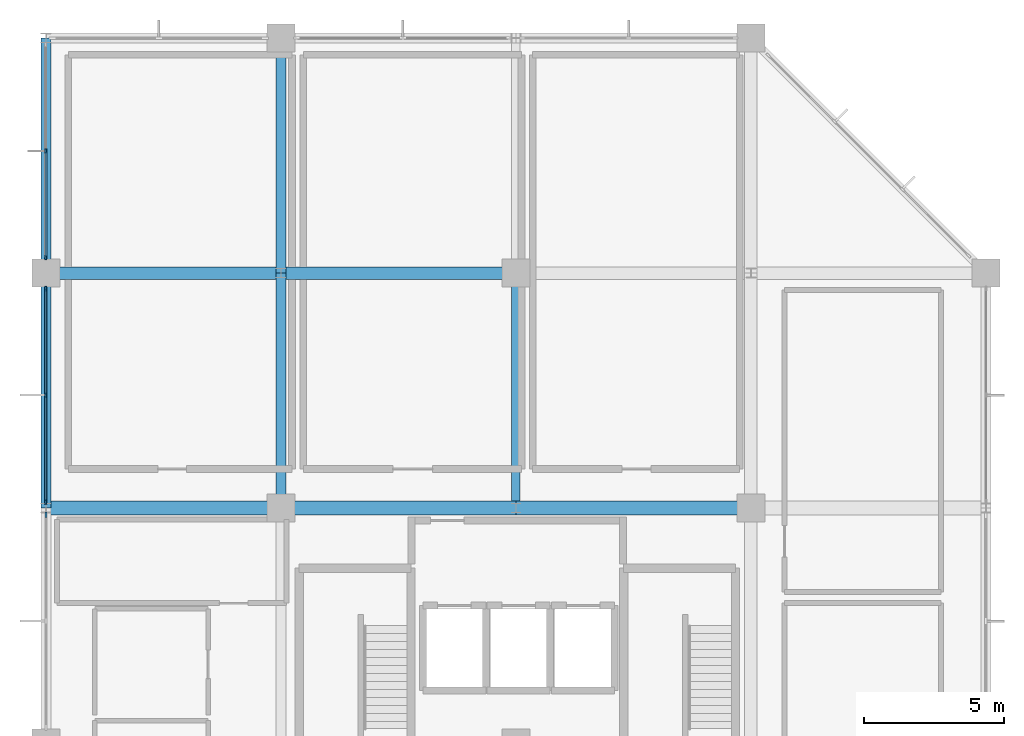
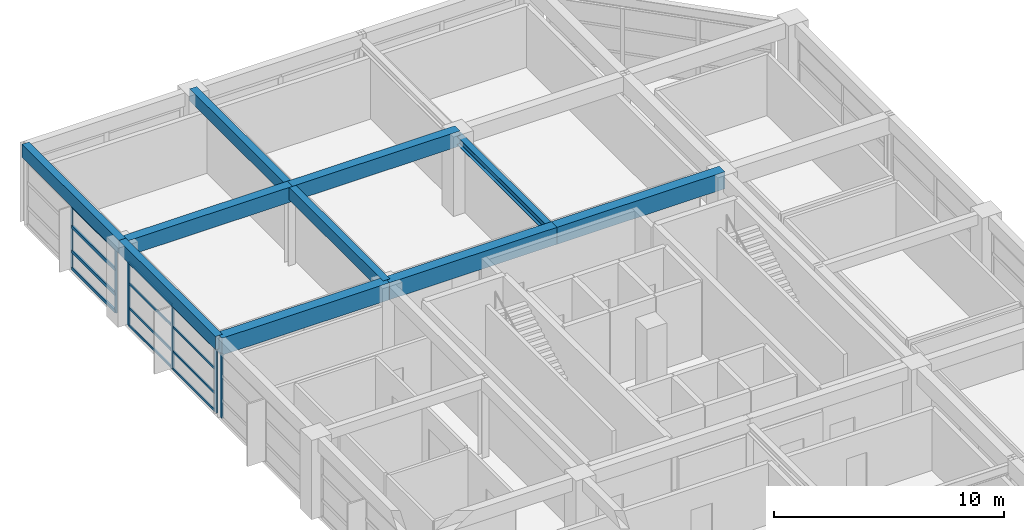
# One storey, part 7 of 16: 18 members, 10 beams, 3 elements without a shape of their own.
"""IFC4 building model written with IfcOpenShell, lengths in metres."""

from ifc_helpers import new_model, si_unit, direction, frame, origin, origin_2d, place, context, subcontext, project, spatial, rectangle, i_section, extrude, material, material_profile, profile_set, type_object, element, aggregate, save


model = new_model("IFC4")

# Units and contexts
model_context = context("Model", 3, precision=1e-05, world=origin(), true_north=direction((0.0, 1.0)))
body_context = subcontext(model_context, "Body", "Model", "MODEL_VIEW")
ifc_project = project(units=[si_unit("LENGTHUNIT", "METRE"), si_unit("AREAUNIT", "SQUARE_METRE"), si_unit("VOLUMEUNIT", "CUBIC_METRE"), si_unit("PLANEANGLEUNIT", "RADIAN"), si_unit("MASSUNIT", "GRAM", prefix="KILO")], contexts=[model_context])

# Site, building, storey
site_placement = place(None, origin())
site = spatial("IfcSite", under=ifc_project, at=site_placement, CompositionType="ELEMENT")
building_placement = place(site_placement, origin())
building = spatial("IfcBuilding", under=site, at=building_placement, Name="Xuanlan Plaza Opera House", CompositionType="ELEMENT")
storey_placement = place(building_placement, frame((0.0, 0.0, 48.89990234375)))
storey = spatial("IfcBuildingStorey", under=building, at=storey_placement, Name="L11", CompositionType="ELEMENT", Elevation=48.89990234375)

# Curtain wall, members
ifc_material_1 = material(Name="Anodised Aluminium 6063-T6 and Low-E Glass", Category="aluminium")
curtain_wall_type_1 = type_object("IfcCurtainWallType", Name="ENV-CW-CW-02", PredefinedType="USERDEFINED", material=ifc_material_1)
curtain_wall_1_placement = place(storey_placement, origin())
curtain_wall_1 = element("IfcCurtainWall", 1, at=curtain_wall_1_placement, inside=storey, type_object=curtain_wall_type_1, Name="Unitised Curtain Wall L11-013", ObjectType="UNITISED CURTAIN WALL", PredefinedType="USERDEFINED")
ifc_material_2 = material(Name="Anodised Aluminium 6063-T6", Category="aluminium")
ifc_material_profile_1 = material_profile(ifc_material_2, rectangle(XDim=0.06494140625, YDim=0.159912109375, at=origin_2d()), Name="ALU-M 65x160")
ifc_profile_set_1 = profile_set([ifc_material_profile_1], Name="Anodised Aluminium 6063-T6")
member_type_1 = type_object("IfcMemberType", Name="ENV-CWM-01", PredefinedType="MULLION", material=ifc_profile_set_1)
member_1_placement = place(storey_placement, frame((126.0, 79.96240234375, 0.0), z_axis=(0.0, 0.0, 1.0), x_axis=(1.0, 0.0, 0.0)))
member_1 = element("IfcMember", 2, at=member_1_placement, type_object=member_type_1, Name="CW-02 mullion 2", PredefinedType="MULLION", context=body_context, shape_type="SweptSolid", body=[
    extrude(rectangle(XDim=0.06494140625, YDim=0.159912109375, at=origin_2d()), origin(), (0.0, 0.0, 1.0), 3.380126953125),
])
member_2_placement = place(storey_placement, frame((126.0, 76.152587890625, 0.0), z_axis=(0.0, 0.0, 1.0), x_axis=(1.0, 0.0, 0.0)))
member_2 = element("IfcMember", 3, at=member_2_placement, type_object=member_type_1, Name="CW-02 mullion 3", PredefinedType="MULLION", context=body_context, shape_type="SweptSolid", body=[
    extrude(rectangle(XDim=0.06494140625, YDim=0.159912109375, at=origin_2d()), origin(), (0.0, 0.0, 1.0), 3.380126953125),
])

curtain_wall_type_2 = type_object("IfcCurtainWallType", Name="ENV-CW-CW-03", PredefinedType="USERDEFINED", material=ifc_material_1)
curtain_wall_2_placement = place(storey_placement, origin())
curtain_wall_2 = element("IfcCurtainWall", 4, at=curtain_wall_2_placement, inside=storey, type_object=curtain_wall_type_2, Name="Unitised Curtain Wall L11-014", ObjectType="UNITISED CURTAIN WALL", PredefinedType="USERDEFINED")
ifc_material_profile_2 = material_profile(ifc_material_2, rectangle(XDim=0.070068359375, YDim=0.179931640625, at=origin_2d()), Name="ALU-M 70x180")
ifc_profile_set_2 = profile_set([ifc_material_profile_2], Name="Anodised Aluminium 6063-T6")
member_type_2 = type_object("IfcMemberType", Name="ENV-CWM-02", PredefinedType="MULLION", material=ifc_profile_set_2)
member_3_placement = place(storey_placement, frame((126.0, 75.044921875, 0.0), z_axis=(0.0, 0.0, 1.0), x_axis=(1.0, 0.0, 0.0)))
member_3 = element("IfcMember", 5, at=member_3_placement, type_object=member_type_2, Name="CW-03 mullion 1", PredefinedType="MULLION", context=body_context, shape_type="SweptSolid", body=[
    extrude(rectangle(XDim=0.070068359375, YDim=0.179931640625, at=origin_2d()), origin(), (0.0, 0.0, 1.0), 3.380126953125),
])
member_4_placement = place(storey_placement, frame((126.0, 71.237548828125, 0.0), z_axis=(0.0, 0.0, 1.0), x_axis=(1.0, 0.0, 0.0)))
member_4 = element("IfcMember", 6, at=member_4_placement, type_object=member_type_2, Name="CW-03 mullion 2", PredefinedType="MULLION", context=body_context, shape_type="SweptSolid", body=[
    extrude(rectangle(XDim=0.070068359375, YDim=0.179931640625, at=origin_2d()), origin(), (0.0, 0.0, 1.0), 3.380126953125),
])
member_5_placement = place(storey_placement, frame((126.0, 67.429931640625, 0.0), z_axis=(0.0, 0.0, 1.0), x_axis=(1.0, 0.0, 0.0)))
member_5 = element("IfcMember", 7, at=member_5_placement, type_object=member_type_2, Name="CW-03 mullion 3", PredefinedType="MULLION", context=body_context, shape_type="SweptSolid", body=[
    extrude(rectangle(XDim=0.070068359375, YDim=0.179931640625, at=origin_2d()), origin(), (0.0, 0.0, 1.0), 3.380126953125),
])

# Curtain wall, member
curtain_wall_type_3 = type_object("IfcCurtainWallType", Name="ENV-CW-CW-04", PredefinedType="USERDEFINED", material=ifc_material_1)
curtain_wall_3_placement = place(storey_placement, origin())
curtain_wall_3 = element("IfcCurtainWall", 8, at=curtain_wall_3_placement, inside=storey, type_object=curtain_wall_type_3, Name="Unitised Curtain Wall L11-015", ObjectType="UNITISED CURTAIN WALL", PredefinedType="USERDEFINED")
ifc_material_profile_3 = material_profile(ifc_material_2, rectangle(XDim=0.074951171875, YDim=0.199951171875, at=origin_2d()), Name="ALU-M 75x200")
ifc_profile_set_3 = profile_set([ifc_material_profile_3], Name="Anodised Aluminium 6063-T6")
member_type_3 = type_object("IfcMemberType", Name="ENV-CWM-03", PredefinedType="MULLION", material=ifc_profile_set_3)
member_6_placement = place(storey_placement, frame((126.0, 66.967529296875, 0.0), z_axis=(0.0, 0.0, 1.0), x_axis=(1.0, 0.0, 0.0)))
member_6 = element("IfcMember", 9, at=member_6_placement, type_object=member_type_3, Name="CW-04 mullion 1", PredefinedType="MULLION", context=body_context, shape_type="SweptSolid", body=[
    extrude(rectangle(XDim=0.074951171875, YDim=0.199951171875, at=origin_2d()), origin(), (0.0, 0.0, 1.0), 3.380126953125),
])
aggregate(curtain_wall_3, [member_6])

# Member
ifc_material_profile_4 = material_profile(ifc_material_2, rectangle(XDim=0.06494140625, YDim=0.1201171875, at=origin_2d()), Name="ALU-T 65x120")
ifc_profile_set_4 = profile_set([ifc_material_profile_4], Name="Anodised Aluminium 6063-T6")
member_type_4 = type_object("IfcMemberType", Name="ENV-CWT-01", PredefinedType="USERDEFINED", material=ifc_profile_set_4)
member_7_placement = place(storey_placement, frame((126.0, 75.010009765625, 0.03271484375), z_axis=(0.0, -1.0, 0.0), x_axis=(1.0, 0.0, 0.0)))
member_7 = element("IfcMember", 10, at=member_7_placement, type_object=member_type_4, Name="CW-03 transom 1.1", ObjectType="TRANSOM", PredefinedType="USERDEFINED", context=body_context, shape_type="SweptSolid", body=[
    extrude(rectangle(XDim=0.06494140625, YDim=0.1201171875, at=origin_2d()), origin(), (0.0, 0.0, 1.0), 3.737548828125),
])

member_8_placement = place(storey_placement, frame((126.0, 75.010009765625, 0.9501953125), z_axis=(0.0, -1.0, 0.0), x_axis=(1.0, 0.0, 0.0)))
member_8 = element("IfcMember", 11, at=member_8_placement, type_object=member_type_4, Name="CW-03 transom 1.2", ObjectType="TRANSOM", PredefinedType="USERDEFINED", context=body_context, shape_type="SweptSolid", body=[
    extrude(rectangle(XDim=0.06494140625, YDim=0.1201171875, at=origin_2d()), origin(), (0.0, 0.0, 1.0), 3.737548828125),
])

member_9_placement = place(storey_placement, frame((126.0, 75.010009765625, 2.25), z_axis=(0.0, -1.0, 0.0), x_axis=(1.0, 0.0, 0.0)))
member_9 = element("IfcMember", 12, at=member_9_placement, type_object=member_type_4, Name="CW-03 transom 1.3", ObjectType="TRANSOM", PredefinedType="USERDEFINED", context=body_context, shape_type="SweptSolid", body=[
    extrude(rectangle(XDim=0.06494140625, YDim=0.1201171875, at=origin_2d()), origin(), (0.0, 0.0, 1.0), 3.737548828125),
])

member_10_placement = place(storey_placement, frame((126.0, 75.010009765625, 3.34765625), z_axis=(0.0, -1.0, 0.0), x_axis=(1.0, 0.0, 0.0)))
member_10 = element("IfcMember", 13, at=member_10_placement, type_object=member_type_4, Name="CW-03 transom 1.4", ObjectType="TRANSOM", PredefinedType="USERDEFINED", context=body_context, shape_type="SweptSolid", body=[
    extrude(rectangle(XDim=0.06494140625, YDim=0.1201171875, at=origin_2d()), origin(), (0.0, 0.0, 1.0), 3.737548828125),
])

member_11_placement = place(storey_placement, frame((126.0, 71.202392578125, 0.03271484375), z_axis=(0.0, -1.0, 0.0), x_axis=(1.0, 0.0, 0.0)))
member_11 = element("IfcMember", 14, at=member_11_placement, type_object=member_type_4, Name="CW-03 transom 2.1", ObjectType="TRANSOM", PredefinedType="USERDEFINED", context=body_context, shape_type="SweptSolid", body=[
    extrude(rectangle(XDim=0.06494140625, YDim=0.1201171875, at=origin_2d()), origin(), (0.0, 0.0, 1.0), 3.7373046875),
])

member_12_placement = place(storey_placement, frame((126.0, 71.202392578125, 0.9501953125), z_axis=(0.0, -1.0, 0.0), x_axis=(1.0, 0.0, 0.0)))
member_12 = element("IfcMember", 15, at=member_12_placement, type_object=member_type_4, Name="CW-03 transom 2.2", ObjectType="TRANSOM", PredefinedType="USERDEFINED", context=body_context, shape_type="SweptSolid", body=[
    extrude(rectangle(XDim=0.06494140625, YDim=0.1201171875, at=origin_2d()), origin(), (0.0, 0.0, 1.0), 3.7373046875),
])

member_13_placement = place(storey_placement, frame((126.0, 71.202392578125, 2.25), z_axis=(0.0, -1.0, 0.0), x_axis=(1.0, 0.0, 0.0)))
member_13 = element("IfcMember", 16, at=member_13_placement, type_object=member_type_4, Name="CW-03 transom 2.3", ObjectType="TRANSOM", PredefinedType="USERDEFINED", context=body_context, shape_type="SweptSolid", body=[
    extrude(rectangle(XDim=0.06494140625, YDim=0.1201171875, at=origin_2d()), origin(), (0.0, 0.0, 1.0), 3.7373046875),
])

member_14_placement = place(storey_placement, frame((126.0, 71.202392578125, 3.34765625), z_axis=(0.0, -1.0, 0.0), x_axis=(1.0, 0.0, 0.0)))
member_14 = element("IfcMember", 17, at=member_14_placement, type_object=member_type_4, Name="CW-03 transom 2.4", ObjectType="TRANSOM", PredefinedType="USERDEFINED", context=body_context, shape_type="SweptSolid", body=[
    extrude(rectangle(XDim=0.06494140625, YDim=0.1201171875, at=origin_2d()), origin(), (0.0, 0.0, 1.0), 3.7373046875),
])

aggregate(curtain_wall_2, [member_3, member_4, member_5, member_7, member_8, member_9, member_10, member_11, member_12, member_13, member_14])

ifc_material_profile_5 = material_profile(ifc_material_2, rectangle(XDim=0.080078125, YDim=0.1650390625, at=origin_2d()), Name="ALU-T 80x165")
ifc_profile_set_5 = profile_set([ifc_material_profile_5], Name="Anodised Aluminium 6063-T6")
member_type_5 = type_object("IfcMemberType", Name="ENV-CWT-04", PredefinedType="USERDEFINED", material=ifc_profile_set_5)
member_15_placement = place(storey_placement, frame((126.0, 79.929931640625, 0.0400390625), z_axis=(0.0, -1.0, 0.0), x_axis=(1.0, 0.0, 0.0)))
member_15 = element("IfcMember", 18, at=member_15_placement, type_object=member_type_5, Name="CW-02 transom 2.1", ObjectType="TRANSOM", PredefinedType="USERDEFINED", context=body_context, shape_type="SweptSolid", body=[
    extrude(rectangle(XDim=0.080078125, YDim=0.1650390625, at=origin_2d()), origin(), (0.0, 0.0, 1.0), 3.744873046875),
])

member_16_placement = place(storey_placement, frame((126.0, 79.929931640625, 0.9501953125), z_axis=(0.0, -1.0, 0.0), x_axis=(1.0, 0.0, 0.0)))
member_16 = element("IfcMember", 19, at=member_16_placement, type_object=member_type_5, Name="CW-02 transom 2.2", ObjectType="TRANSOM", PredefinedType="USERDEFINED", context=body_context, shape_type="SweptSolid", body=[
    extrude(rectangle(XDim=0.080078125, YDim=0.1650390625, at=origin_2d()), origin(), (0.0, 0.0, 1.0), 3.744873046875),
])

member_17_placement = place(storey_placement, frame((126.0, 79.929931640625, 2.25), z_axis=(0.0, -1.0, 0.0), x_axis=(1.0, 0.0, 0.0)))
member_17 = element("IfcMember", 20, at=member_17_placement, type_object=member_type_5, Name="CW-02 transom 2.3", ObjectType="TRANSOM", PredefinedType="USERDEFINED", context=body_context, shape_type="SweptSolid", body=[
    extrude(rectangle(XDim=0.080078125, YDim=0.1650390625, at=origin_2d()), origin(), (0.0, 0.0, 1.0), 3.744873046875),
])

member_18_placement = place(storey_placement, frame((126.0, 79.929931640625, 3.340087890625), z_axis=(0.0, -1.0, 0.0), x_axis=(1.0, 0.0, 0.0)))
member_18 = element("IfcMember", 21, at=member_18_placement, type_object=member_type_5, Name="CW-02 transom 2.4", ObjectType="TRANSOM", PredefinedType="USERDEFINED", context=body_context, shape_type="SweptSolid", body=[
    extrude(rectangle(XDim=0.080078125, YDim=0.1650390625, at=origin_2d()), origin(), (0.0, 0.0, 1.0), 3.744873046875),
])

aggregate(curtain_wall_1, [member_1, member_2, member_15, member_16, member_17, member_18])

# Beams
ifc_material_3 = material(Name="Concrete C40", Category="concrete")
ifc_material_profile_6 = material_profile(ifc_material_3, rectangle(XDim=0.5, YDim=0.89990234375, at=origin_2d()), Name="RC-BM 500x900")
ifc_profile_set_6 = profile_set([ifc_material_profile_6], Name="Concrete C40")
beam_type_1 = type_object("IfcBeamType", Name="STR-BM-B-03", PredefinedType="BEAM", material=ifc_profile_set_6)
beam_1_placement = place(storey_placement, frame((126.0, 67.199951171875, 3.75), z_axis=(1.0, 0.0, 0.0), x_axis=(0.0, 1.0, 0.0)))
element("IfcBeam", 22, at=beam_1_placement, inside=storey, type_object=beam_type_1, Name="Grid Beam X L11 16-17/I", PredefinedType="BEAM", context=body_context, shape_type="SweptSolid", body=[
    extrude(rectangle(XDim=0.5, YDim=0.89990234375, at=origin_2d()), origin(), (0.0, 0.0, 1.0), 8.39990234375),
])
beam_2_placement = place(storey_placement, frame((134.39990234375, 67.199951171875, 3.75), z_axis=(1.0, 0.0, 0.0), x_axis=(0.0, 1.0, 0.0)))
element("IfcBeam", 23, at=beam_2_placement, inside=storey, type_object=beam_type_1, Name="Grid Beam X L11 17-18/I", PredefinedType="BEAM", context=body_context, shape_type="SweptSolid", body=[
    extrude(rectangle(XDim=0.5, YDim=0.89990234375, at=origin_2d()), origin(), (0.0, 0.0, 1.0), 8.400146484375),
])
beam_3_placement = place(storey_placement, frame((142.800048828125, 67.199951171875, 3.75), z_axis=(1.0, 0.0, 0.0), x_axis=(0.0, 1.0, 0.0)))
element("IfcBeam", 24, at=beam_3_placement, inside=storey, type_object=beam_type_1, Name="Grid Beam X L11 18-19/I", PredefinedType="BEAM", context=body_context, shape_type="SweptSolid", body=[
    extrude(rectangle(XDim=0.5, YDim=0.89990234375, at=origin_2d()), origin(), (0.0, 0.0, 1.0), 8.39990234375),
])
ifc_material_profile_7 = material_profile(ifc_material_3, rectangle(XDim=0.449951171875, YDim=0.800048828125, at=origin_2d()), Name="RC-BM 450x800")
ifc_profile_set_7 = profile_set([ifc_material_profile_7], Name="Concrete C40")
beam_type_2 = type_object("IfcBeamType", Name="STR-BM-B-05", PredefinedType="BEAM", material=ifc_profile_set_7)
beam_4_placement = place(storey_placement, frame((126.0, 75.60009765625, 3.800048828125), z_axis=(1.0, 0.0, 0.0), x_axis=(0.0, 1.0, 0.0)))
element("IfcBeam", 25, at=beam_4_placement, inside=storey, type_object=beam_type_2, Name="Grid Beam X L11 16-17/J", PredefinedType="BEAM", context=body_context, shape_type="SweptSolid", body=[
    extrude(rectangle(XDim=0.449951171875, YDim=0.800048828125, at=origin_2d()), origin(), (0.0, 0.0, 1.0), 8.39990234375),
])
beam_5_placement = place(storey_placement, frame((134.39990234375, 75.60009765625, 3.800048828125), z_axis=(1.0, 0.0, 0.0), x_axis=(0.0, 1.0, 0.0)))
element("IfcBeam", 26, at=beam_5_placement, inside=storey, type_object=beam_type_2, Name="Grid Beam X L11 17-18/J", PredefinedType="BEAM", context=body_context, shape_type="SweptSolid", body=[
    extrude(rectangle(XDim=0.449951171875, YDim=0.800048828125, at=origin_2d()), origin(), (0.0, 0.0, 1.0), 8.400146484375),
])
ifc_material_profile_8 = material_profile(ifc_material_3, rectangle(XDim=0.35009765625, YDim=0.64990234375, at=origin_2d()), Name="RC-BM 350x650")
ifc_profile_set_8 = profile_set([ifc_material_profile_8], Name="Concrete C40")
beam_type_3 = type_object("IfcBeamType", Name="STR-BM-B-08", PredefinedType="BEAM", material=ifc_profile_set_8)
beam_6_placement = place(storey_placement, frame((134.39990234375, 67.199951171875, 3.875), z_axis=(0.0, 1.0, 0.0), x_axis=(-1.0, 0.0, 0.0)))
element("IfcBeam", 27, at=beam_6_placement, inside=storey, type_object=beam_type_3, Name="Grid Beam Y L11 17/I-J", PredefinedType="BEAM", context=body_context, shape_type="SweptSolid", body=[
    extrude(rectangle(XDim=0.35009765625, YDim=0.64990234375, at=origin_2d()), origin(), (0.0, 0.0, 1.0), 8.400146484375),
])
beam_7_placement = place(storey_placement, frame((134.39990234375, 75.60009765625, 3.875), z_axis=(0.0, 1.0, 0.0), x_axis=(-1.0, 0.0, 0.0)))
element("IfcBeam", 28, at=beam_7_placement, inside=storey, type_object=beam_type_3, Name="Grid Beam Y L11 17/J-K", PredefinedType="BEAM", context=body_context, shape_type="SweptSolid", body=[
    extrude(rectangle(XDim=0.35009765625, YDim=0.64990234375, at=origin_2d()), origin(), (0.0, 0.0, 1.0), 8.39990234375),
])
ifc_material_4 = material(Name="Steel Q355B", Category="steel")
ifc_material_profile_9 = material_profile(ifc_material_4, i_section(OverallWidth=0.300048828125, OverallDepth=0.43994140625, WebThickness=0.010986328125, FlangeThickness=0.01806640625, FilletRadius=0.02001953125, at=origin_2d()), Name="HM 440x300x11x18")
ifc_profile_set_9 = profile_set([ifc_material_profile_9], Name="Steel Q355B")
beam_type_4 = type_object("IfcBeamType", Name="STR-BM-SB-08", PredefinedType="BEAM", material=ifc_profile_set_9)
beam_8_placement = place(storey_placement, frame((142.800048828125, 67.199951171875, 3.735107421875), z_axis=(0.0, 1.0, 0.0), x_axis=(-1.0, 0.0, 0.0)))
element("IfcBeam", 29, at=beam_8_placement, inside=storey, type_object=beam_type_4, Name="Grid Beam Y L11 18/I-J", PredefinedType="BEAM", context=body_context, shape_type="SweptSolid", body=[
    extrude(i_section(OverallWidth=0.300048828125, OverallDepth=0.43994140625, WebThickness=0.010986328125, FlangeThickness=0.01806640625, FilletRadius=0.02001953125, at=origin_2d()), origin(), (0.0, 0.0, 1.0), 8.400146484375),
])
ifc_material_profile_10 = material_profile(ifc_material_3, rectangle(XDim=0.35009765625, YDim=0.699951171875, at=origin_2d()), Name="RC-SPD 350x700")
ifc_profile_set_10 = profile_set([ifc_material_profile_10], Name="Concrete C40")
beam_type_5 = type_object("IfcBeamType", Name="STR-BM-SP-02", PredefinedType="SPANDREL", material=ifc_profile_set_10)
beam_9_placement = place(storey_placement, frame((126.0, 67.199951171875, 3.85009765625), z_axis=(0.0, 1.0, 0.0), x_axis=(-1.0, 0.0, 0.0)))
element("IfcBeam", 30, at=beam_9_placement, inside=storey, type_object=beam_type_5, Name="Grid Beam Y L11 16/I-J", PredefinedType="SPANDREL", context=body_context, shape_type="SweptSolid", body=[
    extrude(rectangle(XDim=0.35009765625, YDim=0.699951171875, at=origin_2d()), origin(), (0.0, 0.0, 1.0), 8.400146484375),
])
beam_10_placement = place(storey_placement, frame((126.0, 75.60009765625, 3.85009765625), z_axis=(0.0, 1.0, 0.0), x_axis=(-1.0, 0.0, 0.0)))
element("IfcBeam", 31, at=beam_10_placement, inside=storey, type_object=beam_type_5, Name="Grid Beam Y L11 16/J-K", PredefinedType="SPANDREL", context=body_context, shape_type="SweptSolid", body=[
    extrude(rectangle(XDim=0.35009765625, YDim=0.699951171875, at=origin_2d()), origin(), (0.0, 0.0, 1.0), 8.39990234375),
])

save(model, "model.ifc")
